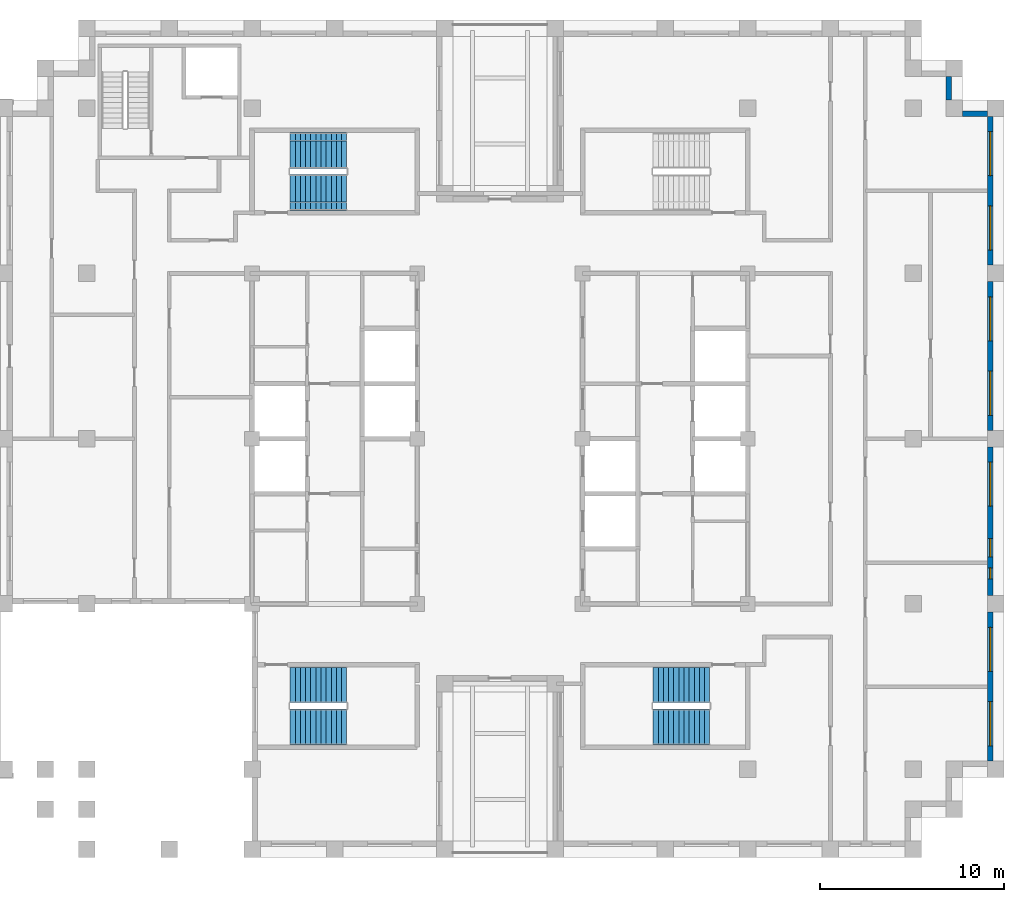
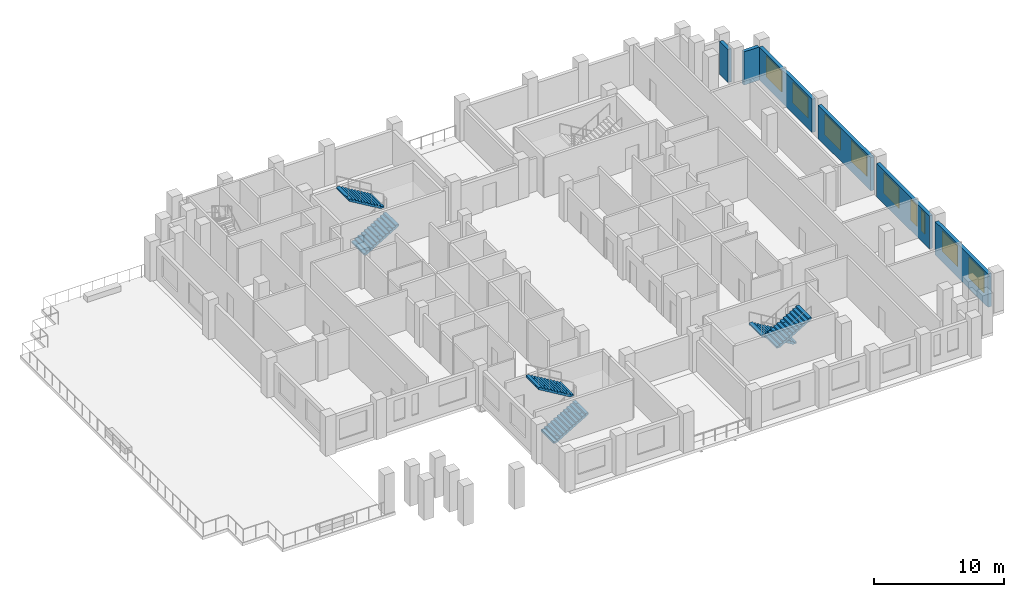
# One storey, part 7 of 10: 9 windows, 6 stair flights, 6 walls, 9 openings, 3 elements without a shape of their own.
"""IFC4 building model written with IfcOpenShell, lengths in metres."""

from ifc_helpers import new_model, si_unit, direction, frame, frame_2d, origin, place, context, subcontext, project, spatial, polyline, rectangle, outline, extrude, material, layer, layer_set, type_object, element, fill, aggregate, save


model = new_model("IFC4")

# Units and contexts
model_context = context("Model", 3, precision=1e-05, world=origin(), true_north=direction((0.0, 1.0)))
body_context = subcontext(model_context, "Body", "Model", "MODEL_VIEW")
ifc_project = project(units=[si_unit("LENGTHUNIT", "METRE"), si_unit("AREAUNIT", "SQUARE_METRE"), si_unit("VOLUMEUNIT", "CUBIC_METRE"), si_unit("PLANEANGLEUNIT", "RADIAN"), si_unit("MASSUNIT", "GRAM", prefix="KILO")], contexts=[model_context])

# Site, building, storey
site_placement = place(None, origin())
site = spatial("IfcSite", under=ifc_project, at=site_placement, CompositionType="ELEMENT")
building_placement = place(site_placement, origin())
building = spatial("IfcBuilding", under=site, at=building_placement, Name="Corbelhall Arena Tower", CompositionType="ELEMENT")
storey_placement = place(building_placement, frame((0.0, 0.0, 242.0)))
storey = spatial("IfcBuildingStorey", under=building, at=storey_placement, Name="L51", CompositionType="ELEMENT", Elevation=242.0)

# Wall, openings, windows
ifc_material_1 = material(Name="Precast concrete C40/50 with granite facing", Category="masonry")
ifc_layer = layer(ifc_material_1, 0.300048828125)
ifc_layer_set = layer_set([ifc_layer], Name="EV-IW1 Infill panel 300")
wall_type = type_object("IfcWallType", Name="EV-IW1 Infill panel 300", PredefinedType="SOLIDWALL", material=ifc_layer_set)
wall_1_placement = place(storey_placement, frame((26.699951171875, -17.550048828125, 0.0), z_axis=(0.0, 0.0, 1.0), x_axis=(0.0, 1.0, 0.0)))
wall_1 = element("IfcWall", 1, at=wall_1_placement, inside=storey, type_object=wall_type, Name="Infill panel IW1", PredefinedType="SOLIDWALL", context=body_context, shape_type="SweptSolid", body=[
    extrude(rectangle(XDim=8.10009765625, YDim=0.300048828125, at=frame_2d((4.050048828125, 0.0))), origin(), (0.0, 0.0, 1.0), 3.1201171875),
])
opening_1_placement = place(wall_1_placement, frame((0.824951171875, 0.0, 0.800048828125)))
opening_1 = element("IfcOpeningElement", 2, at=opening_1_placement, cuts=wall_1, Name="Opening WN1", PredefinedType="OPENING", context=body_context, shape_type="SweptSolid", body=[
    extrude(rectangle(XDim=2.39990234375, YDim=1.949951171875, at=frame_2d((1.199951171875, 0.97509765625))), frame((0.0, 0.14990234375, 0.0), z_axis=(0.0, -1.0, 0.0), x_axis=(1.0, 0.0, 0.0)), (0.0, 0.0, 1.0), 0.300048828125),
])
opening_2_placement = place(wall_1_placement, frame((4.875, 0.0, 0.800048828125)))
opening_2 = element("IfcOpeningElement", 3, at=opening_2_placement, cuts=wall_1, Name="Opening WN1", PredefinedType="OPENING", context=body_context, shape_type="SweptSolid", body=[
    extrude(rectangle(XDim=2.39990234375, YDim=1.949951171875, at=frame_2d((1.199951171875, 0.97509765625))), frame((0.0, 0.14990234375, 0.0), z_axis=(0.0, -1.0, 0.0), x_axis=(1.0, 0.0, 0.0)), (0.0, 0.0, 1.0), 0.300048828125),
])
ifc_material_2 = material(Name="Aluminium black anodised", Category="aluminium")
window_type_1 = type_object("IfcWindowType", Name="EV-WN1 Office window", PartitioningType="SINGLE_PANEL", PredefinedType="WINDOW", material=ifc_material_2)
window_1_placement = place(opening_1_placement, origin())
window_1 = element("IfcWindow", 4, at=window_1_placement, inside=storey, type_object=window_type_1, Name="Window WN1", OverallHeight=1.949951171875, OverallWidth=2.39990234375, PartitioningType="SINGLE_PANEL", PredefinedType="WINDOW", context=body_context, shape_type="SweptSolid", body=[
    extrude(rectangle(XDim=2.39990234375, YDim=1.949951171875, at=frame_2d((1.199951171875, 0.97509765625))), frame((0.0, 0.030029296875, 0.0), z_axis=(0.0, -1.0, 0.0), x_axis=(1.0, 0.0, 0.0)), (0.0, 0.0, 1.0), 0.06005859375),
])
fill(opening_1, window_1)
window_2_placement = place(opening_2_placement, origin())
window_2 = element("IfcWindow", 5, at=window_2_placement, inside=storey, type_object=window_type_1, Name="Window WN1", OverallHeight=1.949951171875, OverallWidth=2.39990234375, PartitioningType="SINGLE_PANEL", PredefinedType="WINDOW", context=body_context, shape_type="SweptSolid", body=[
    extrude(rectangle(XDim=2.39990234375, YDim=1.949951171875, at=frame_2d((1.199951171875, 0.97509765625))), frame((0.0, 0.030029296875, 0.0), z_axis=(0.0, -1.0, 0.0), x_axis=(1.0, 0.0, 0.0)), (0.0, 0.0, 1.0), 0.06005859375),
])
fill(opening_2, window_2)

wall_2_placement = place(storey_placement, frame((26.699951171875, -8.550048828125, 0.0), z_axis=(0.0, 0.0, 1.0), x_axis=(0.0, 1.0, 0.0)))
wall_2 = element("IfcWall", 6, at=wall_2_placement, inside=storey, type_object=wall_type, Name="Infill panel IW1", PredefinedType="SOLIDWALL", context=body_context, shape_type="SweptSolid", body=[
    extrude(rectangle(XDim=8.10009765625, YDim=0.300048828125, at=frame_2d((4.050048828125, 0.0))), origin(), (0.0, 0.0, 1.0), 3.1201171875),
])
opening_3_placement = place(wall_2_placement, frame((4.875, 0.0, 0.800048828125)))
opening_3 = element("IfcOpeningElement", 7, at=opening_3_placement, cuts=wall_2, Name="Opening WN1", PredefinedType="OPENING", context=body_context, shape_type="SweptSolid", body=[
    extrude(rectangle(XDim=2.39990234375, YDim=1.949951171875, at=frame_2d((1.199951171875, 0.97509765625))), frame((0.0, 0.14990234375, 0.0), z_axis=(0.0, -1.0, 0.0), x_axis=(1.0, 0.0, 0.0)), (0.0, 0.0, 1.0), 0.300048828125),
])
opening_4_placement = place(wall_2_placement, frame((0.91259765625, 0.0, 0.800048828125)))
opening_4 = element("IfcOpeningElement", 8, at=opening_4_placement, cuts=wall_2, Name="Opening WN5", PredefinedType="OPENING", context=body_context, shape_type="SweptSolid", body=[
    extrude(rectangle(XDim=0.60009765625, YDim=1.949951171875, at=frame_2d((0.300048828125, 0.97509765625))), frame((0.0, 0.14990234375, 0.0), z_axis=(0.0, -1.0, 0.0), x_axis=(1.0, 0.0, 0.0)), (0.0, 0.0, 1.0), 0.300048828125),
])
opening_5_placement = place(wall_2_placement, frame((2.112548828125, 0.0, 0.800048828125)))
opening_5 = element("IfcOpeningElement", 9, at=opening_5_placement, cuts=wall_2, Name="Opening WN6", PredefinedType="OPENING", context=body_context, shape_type="SweptSolid", body=[
    extrude(rectangle(XDim=1.0, YDim=1.949951171875, at=frame_2d((0.5, 0.97509765625))), frame((0.0, 0.14990234375, 0.0), z_axis=(0.0, -1.0, 0.0), x_axis=(1.0, 0.0, 0.0)), (0.0, 0.0, 1.0), 0.300048828125),
])
window_3_placement = place(opening_3_placement, origin())
window_3 = element("IfcWindow", 10, at=window_3_placement, inside=storey, type_object=window_type_1, Name="Window WN1", OverallHeight=1.949951171875, OverallWidth=2.39990234375, PartitioningType="SINGLE_PANEL", PredefinedType="WINDOW", context=body_context, shape_type="SweptSolid", body=[
    extrude(rectangle(XDim=2.39990234375, YDim=1.949951171875, at=frame_2d((1.199951171875, 0.97509765625))), frame((0.0, 0.030029296875, 0.0), z_axis=(0.0, -1.0, 0.0), x_axis=(1.0, 0.0, 0.0)), (0.0, 0.0, 1.0), 0.06005859375),
])
fill(opening_3, window_3)
window_type_2 = type_object("IfcWindowType", Name="EV-WN5 Office window 600", PartitioningType="SINGLE_PANEL", PredefinedType="WINDOW", material=ifc_material_2)
window_4_placement = place(opening_4_placement, origin())
window_4 = element("IfcWindow", 11, at=window_4_placement, inside=storey, type_object=window_type_2, Name="Window WN5", OverallHeight=1.949951171875, OverallWidth=0.60009765625, PartitioningType="SINGLE_PANEL", PredefinedType="WINDOW", context=body_context, shape_type="SweptSolid", body=[
    extrude(rectangle(XDim=0.60009765625, YDim=1.949951171875, at=frame_2d((0.300048828125, 0.97509765625))), frame((0.0, 0.030029296875, 0.0), z_axis=(0.0, -1.0, 0.0), x_axis=(1.0, 0.0, 0.0)), (0.0, 0.0, 1.0), 0.06005859375),
])
fill(opening_4, window_4)
window_type_3 = type_object("IfcWindowType", Name="EV-WN6 Office window 1000", PartitioningType="SINGLE_PANEL", PredefinedType="WINDOW", material=ifc_material_2)
window_5_placement = place(opening_5_placement, origin())
window_5 = element("IfcWindow", 12, at=window_5_placement, inside=storey, type_object=window_type_3, Name="Window WN6", OverallHeight=1.949951171875, OverallWidth=1.0, PartitioningType="SINGLE_PANEL", PredefinedType="WINDOW", context=body_context, shape_type="SweptSolid", body=[
    extrude(rectangle(XDim=1.0, YDim=1.949951171875, at=frame_2d((0.5, 0.97509765625))), frame((0.0, 0.030029296875, 0.0), z_axis=(0.0, -1.0, 0.0), x_axis=(1.0, 0.0, 0.0)), (0.0, 0.0, 1.0), 0.06005859375),
])
fill(opening_5, window_5)

wall_3_placement = place(storey_placement, frame((26.699951171875, 0.449951171875, 0.0), z_axis=(0.0, 0.0, 1.0), x_axis=(0.0, 1.0, 0.0)))
wall_3 = element("IfcWall", 13, at=wall_3_placement, inside=storey, type_object=wall_type, Name="Infill panel IW1", PredefinedType="SOLIDWALL", context=body_context, shape_type="SweptSolid", body=[
    extrude(rectangle(XDim=8.10009765625, YDim=0.300048828125, at=frame_2d((4.050048828125, 0.0))), origin(), (0.0, 0.0, 1.0), 3.1201171875),
])
opening_6_placement = place(wall_3_placement, frame((0.824951171875, 0.0, 0.800048828125)))
opening_6 = element("IfcOpeningElement", 14, at=opening_6_placement, cuts=wall_3, Name="Opening WN1", PredefinedType="OPENING", context=body_context, shape_type="SweptSolid", body=[
    extrude(rectangle(XDim=2.39990234375, YDim=1.949951171875, at=frame_2d((1.199951171875, 0.97509765625))), frame((0.0, 0.14990234375, 0.0), z_axis=(0.0, -1.0, 0.0), x_axis=(1.0, 0.0, 0.0)), (0.0, 0.0, 1.0), 0.300048828125),
])
opening_7_placement = place(wall_3_placement, frame((4.875, 0.0, 0.800048828125)))
opening_7 = element("IfcOpeningElement", 15, at=opening_7_placement, cuts=wall_3, Name="Opening WN1", PredefinedType="OPENING", context=body_context, shape_type="SweptSolid", body=[
    extrude(rectangle(XDim=2.39990234375, YDim=1.949951171875, at=frame_2d((1.199951171875, 0.97509765625))), frame((0.0, 0.14990234375, 0.0), z_axis=(0.0, -1.0, 0.0), x_axis=(1.0, 0.0, 0.0)), (0.0, 0.0, 1.0), 0.300048828125),
])
window_6_placement = place(opening_6_placement, origin())
window_6 = element("IfcWindow", 16, at=window_6_placement, inside=storey, type_object=window_type_1, Name="Window WN1", OverallHeight=1.949951171875, OverallWidth=2.39990234375, PartitioningType="SINGLE_PANEL", PredefinedType="WINDOW", context=body_context, shape_type="SweptSolid", body=[
    extrude(rectangle(XDim=2.39990234375, YDim=1.949951171875, at=frame_2d((1.199951171875, 0.97509765625))), frame((0.0, 0.030029296875, 0.0), z_axis=(0.0, -1.0, 0.0), x_axis=(1.0, 0.0, 0.0)), (0.0, 0.0, 1.0), 0.06005859375),
])
fill(opening_6, window_6)
window_7_placement = place(opening_7_placement, origin())
window_7 = element("IfcWindow", 17, at=window_7_placement, inside=storey, type_object=window_type_1, Name="Window WN1", OverallHeight=1.949951171875, OverallWidth=2.39990234375, PartitioningType="SINGLE_PANEL", PredefinedType="WINDOW", context=body_context, shape_type="SweptSolid", body=[
    extrude(rectangle(XDim=2.39990234375, YDim=1.949951171875, at=frame_2d((1.199951171875, 0.97509765625))), frame((0.0, 0.030029296875, 0.0), z_axis=(0.0, -1.0, 0.0), x_axis=(1.0, 0.0, 0.0)), (0.0, 0.0, 1.0), 0.06005859375),
])
fill(opening_7, window_7)

wall_4_placement = place(storey_placement, frame((26.699951171875, 9.449951171875, 0.0), z_axis=(0.0, 0.0, 1.0), x_axis=(0.0, 1.0, 0.0)))
wall_4 = element("IfcWall", 18, at=wall_4_placement, inside=storey, type_object=wall_type, Name="Infill panel IW1", PredefinedType="SOLIDWALL", context=body_context, shape_type="SweptSolid", body=[
    extrude(rectangle(XDim=8.10009765625, YDim=0.300048828125, at=frame_2d((4.050048828125, 0.0))), origin(), (0.0, 0.0, 1.0), 3.1201171875),
])
opening_8_placement = place(wall_4_placement, frame((0.824951171875, 0.0, 0.800048828125)))
opening_8 = element("IfcOpeningElement", 19, at=opening_8_placement, cuts=wall_4, Name="Opening WN1", PredefinedType="OPENING", context=body_context, shape_type="SweptSolid", body=[
    extrude(rectangle(XDim=2.39990234375, YDim=1.949951171875, at=frame_2d((1.199951171875, 0.97509765625))), frame((0.0, 0.14990234375, 0.0), z_axis=(0.0, -1.0, 0.0), x_axis=(1.0, 0.0, 0.0)), (0.0, 0.0, 1.0), 0.300048828125),
])
opening_9_placement = place(wall_4_placement, frame((4.875, 0.0, 0.800048828125)))
opening_9 = element("IfcOpeningElement", 20, at=opening_9_placement, cuts=wall_4, Name="Opening WN1", PredefinedType="OPENING", context=body_context, shape_type="SweptSolid", body=[
    extrude(rectangle(XDim=2.39990234375, YDim=1.949951171875, at=frame_2d((1.199951171875, 0.97509765625))), frame((0.0, 0.14990234375, 0.0), z_axis=(0.0, -1.0, 0.0), x_axis=(1.0, 0.0, 0.0)), (0.0, 0.0, 1.0), 0.300048828125),
])
window_8_placement = place(opening_8_placement, origin())
window_8 = element("IfcWindow", 21, at=window_8_placement, inside=storey, type_object=window_type_1, Name="Window WN1", OverallHeight=1.949951171875, OverallWidth=2.39990234375, PartitioningType="SINGLE_PANEL", PredefinedType="WINDOW", context=body_context, shape_type="SweptSolid", body=[
    extrude(rectangle(XDim=2.39990234375, YDim=1.949951171875, at=frame_2d((1.199951171875, 0.97509765625))), frame((0.0, 0.030029296875, 0.0), z_axis=(0.0, -1.0, 0.0), x_axis=(1.0, 0.0, 0.0)), (0.0, 0.0, 1.0), 0.06005859375),
])
fill(opening_8, window_8)
window_9_placement = place(opening_9_placement, origin())
window_9 = element("IfcWindow", 22, at=window_9_placement, inside=storey, type_object=window_type_1, Name="Window WN1", OverallHeight=1.949951171875, OverallWidth=2.39990234375, PartitioningType="SINGLE_PANEL", PredefinedType="WINDOW", context=body_context, shape_type="SweptSolid", body=[
    extrude(rectangle(XDim=2.39990234375, YDim=1.949951171875, at=frame_2d((1.199951171875, 0.97509765625))), frame((0.0, 0.030029296875, 0.0), z_axis=(0.0, -1.0, 0.0), x_axis=(1.0, 0.0, 0.0)), (0.0, 0.0, 1.0), 0.06005859375),
])
fill(opening_9, window_9)

# Walls
wall_5_placement = place(storey_placement, frame((26.550048828125, 17.699951171875, 0.0), z_axis=(0.0, 0.0, 1.0), x_axis=(-1.0, 0.0, 0.0)))
element("IfcWall", 23, at=wall_5_placement, inside=storey, type_object=wall_type, Name="Infill panel IW1", PredefinedType="SOLIDWALL", context=body_context, shape_type="SweptSolid", body=[
    extrude(rectangle(XDim=1.35009765625, YDim=0.300048828125, at=frame_2d((0.675048828125, 0.0))), origin(), (0.0, 0.0, 1.0), 3.1201171875),
])
wall_6_placement = place(storey_placement, frame((24.449951171875, 18.449951171875, 0.0), z_axis=(0.0, 0.0, 1.0), x_axis=(0.0, 1.0, 0.0)))
element("IfcWall", 24, at=wall_6_placement, inside=storey, type_object=wall_type, Name="Infill panel IW1", PredefinedType="SOLIDWALL", context=body_context, shape_type="SweptSolid", body=[
    extrude(rectangle(XDim=1.275146484375, YDim=0.300048828125, at=frame_2d((0.6376953125, 0.0))), origin(), (0.0, 0.0, 1.0), 3.1201171875),
])

# Stair, stair flights
ifc_material_3 = material(Name="Concrete C40/50", Category="concrete")
stair_type = type_object("IfcStairType", Name="IN-ST-TOWER", PredefinedType="HALF_TURN_STAIR", material=ifc_material_3)
stair_1_placement = place(storey_placement, origin())
stair_1 = element("IfcStair", 25, at=stair_1_placement, inside=storey, type_object=stair_type, Name="L51 Exit stair ST1", PredefinedType="HALF_TURN_STAIR")
stair_flight_type = type_object("IfcStairFlightType", Name="IN-SFL-RC", PredefinedType="STRAIGHT", material=ifc_material_3)
stair_flight_1_placement = place(storey_placement, frame((-11.425048828125, 13.39990234375, 0.0), z_axis=(0.0, 0.0, 1.0), x_axis=(1.0, 0.0, 0.0)))
stair_flight_1 = element("IfcStairFlight", 26, at=stair_flight_1_placement, type_object=stair_flight_type, Name="ST1 flight 1", NumberOfRisers=12, NumberOfTreads=11, PredefinedType="STRAIGHT", RiserHeight=0.166666667, TreadLength=0.28, context=body_context, shape_type="SweptSolid", body=[
    extrude(outline(polyline([(0.0, 0.0), (0.0, 0.166748046875), (0.280029296875, 0.166748046875), (0.280029296875, 0.333251953125), (0.56005859375, 0.333251953125), (0.56005859375, 0.5), (0.840087890625, 0.5), (0.840087890625, 0.666748046875), (1.1201171875, 0.666748046875), (1.1201171875, 0.833251953125), (1.39990234375, 0.833251953125), (1.39990234375, 1.0), (1.679931640625, 1.0), (1.679931640625, 1.166748046875), (1.9599609375, 1.166748046875), (1.9599609375, 1.333251953125), (2.239990234375, 1.333251953125), (2.239990234375, 1.5), (2.52001953125, 1.5), (2.52001953125, 1.666748046875), (2.800048828125, 1.666748046875), (2.800048828125, 1.833251953125), (3.080078125, 1.833251953125), (3.080078125, 2.0), (3.080078125, 1.658935546875), (0.29296875, 0.0), (0.0, 0.0)])), frame((0.0, 0.97509765625, 0.0), z_axis=(0.0, -1.0, 0.0), x_axis=(1.0, 0.0, 0.0)), (0.0, 0.0, 1.0), 0.449951171875),
    extrude(outline(polyline([(0.0, 0.0), (0.0, 0.166748046875), (0.280029296875, 0.166748046875), (0.280029296875, 0.333251953125), (0.56005859375, 0.333251953125), (0.56005859375, 0.5), (0.840087890625, 0.5), (0.840087890625, 0.666748046875), (1.1201171875, 0.666748046875), (1.1201171875, 0.833251953125), (1.39990234375, 0.833251953125), (1.39990234375, 1.0), (1.679931640625, 1.0), (1.679931640625, 1.166748046875), (1.9599609375, 1.166748046875), (1.9599609375, 1.333251953125), (2.239990234375, 1.333251953125), (2.239990234375, 1.5), (2.52001953125, 1.5), (2.52001953125, 1.666748046875), (2.800048828125, 1.666748046875), (2.800048828125, 1.833251953125), (3.080078125, 1.833251953125), (3.080078125, 2.0), (3.080078125, 1.658935546875), (0.29296875, 0.0), (0.0, 0.0)])), frame((0.0, 0.52099609375, 0.0), z_axis=(0.0, -1.0, 0.0), x_axis=(1.0, 0.0, 0.0)), (0.0, 0.0, 1.0), 1.0419921875),
    extrude(outline(polyline([(0.0, 0.0), (0.0, 0.166748046875), (0.280029296875, 0.166748046875), (0.280029296875, 0.333251953125), (0.56005859375, 0.333251953125), (0.56005859375, 0.5), (0.840087890625, 0.5), (0.840087890625, 0.666748046875), (1.1201171875, 0.666748046875), (1.1201171875, 0.833251953125), (1.39990234375, 0.833251953125), (1.39990234375, 1.0), (1.679931640625, 1.0), (1.679931640625, 1.166748046875), (1.9599609375, 1.166748046875), (1.9599609375, 1.333251953125), (2.239990234375, 1.333251953125), (2.239990234375, 1.5), (2.52001953125, 1.5), (2.52001953125, 1.666748046875), (2.800048828125, 1.666748046875), (2.800048828125, 1.833251953125), (3.080078125, 1.833251953125), (3.080078125, 2.0), (3.080078125, 1.658935546875), (0.29296875, 0.0), (0.0, 0.0)])), frame((0.0, -0.52490234375, 0.0), z_axis=(0.0, -1.0, 0.0), x_axis=(1.0, 0.0, 0.0)), (0.0, 0.0, 1.0), 0.449951171875),
])
stair_flight_2_placement = place(storey_placement, frame((-8.344970703125, 15.699951171875, 2.0), z_axis=(0.0, 0.0, 1.0), x_axis=(-1.0, 0.0, 0.0)))
stair_flight_2 = element("IfcStairFlight", 27, at=stair_flight_2_placement, type_object=stair_flight_type, Name="ST1 flight 2", NumberOfRisers=12, NumberOfTreads=11, PredefinedType="STRAIGHT", RiserHeight=0.166666667, TreadLength=0.28, context=body_context, shape_type="SweptSolid", body=[
    extrude(outline(polyline([(0.0, 0.0), (0.0, 0.166748046875), (0.280029296875, 0.166748046875), (0.280029296875, 0.333251953125), (0.56005859375, 0.333251953125), (0.56005859375, 0.5), (0.840087890625, 0.5), (0.840087890625, 0.666748046875), (1.1201171875, 0.666748046875), (1.1201171875, 0.833251953125), (1.39990234375, 0.833251953125), (1.39990234375, 1.0), (1.679931640625, 1.0), (1.679931640625, 1.166748046875), (1.9599609375, 1.166748046875), (1.9599609375, 1.333251953125), (2.239990234375, 1.333251953125), (2.239990234375, 1.5), (2.52001953125, 1.5), (2.52001953125, 1.666748046875), (2.800048828125, 1.666748046875), (2.800048828125, 1.833251953125), (3.080078125, 1.833251953125), (3.080078125, 2.0), (3.080078125, 1.658935546875), (0.29296875, 0.0), (0.0, 0.0)])), frame((0.0, 0.97509765625, 0.0), z_axis=(0.0, -1.0, 0.0), x_axis=(1.0, 0.0, 0.0)), (0.0, 0.0, 1.0), 0.449951171875),
    extrude(outline(polyline([(0.0, 0.0), (0.0, 0.166748046875), (0.280029296875, 0.166748046875), (0.280029296875, 0.333251953125), (0.56005859375, 0.333251953125), (0.56005859375, 0.5), (0.840087890625, 0.5), (0.840087890625, 0.666748046875), (1.1201171875, 0.666748046875), (1.1201171875, 0.833251953125), (1.39990234375, 0.833251953125), (1.39990234375, 1.0), (1.679931640625, 1.0), (1.679931640625, 1.166748046875), (1.9599609375, 1.166748046875), (1.9599609375, 1.333251953125), (2.239990234375, 1.333251953125), (2.239990234375, 1.5), (2.52001953125, 1.5), (2.52001953125, 1.666748046875), (2.800048828125, 1.666748046875), (2.800048828125, 1.833251953125), (3.080078125, 1.833251953125), (3.080078125, 2.0), (3.080078125, 1.658935546875), (0.29296875, 0.0), (0.0, 0.0)])), frame((0.0, 0.52099609375, 0.0), z_axis=(0.0, -1.0, 0.0), x_axis=(1.0, 0.0, 0.0)), (0.0, 0.0, 1.0), 1.0419921875),
    extrude(outline(polyline([(0.0, 0.0), (0.0, 0.166748046875), (0.280029296875, 0.166748046875), (0.280029296875, 0.333251953125), (0.56005859375, 0.333251953125), (0.56005859375, 0.5), (0.840087890625, 0.5), (0.840087890625, 0.666748046875), (1.1201171875, 0.666748046875), (1.1201171875, 0.833251953125), (1.39990234375, 0.833251953125), (1.39990234375, 1.0), (1.679931640625, 1.0), (1.679931640625, 1.166748046875), (1.9599609375, 1.166748046875), (1.9599609375, 1.333251953125), (2.239990234375, 1.333251953125), (2.239990234375, 1.5), (2.52001953125, 1.5), (2.52001953125, 1.666748046875), (2.800048828125, 1.666748046875), (2.800048828125, 1.833251953125), (3.080078125, 1.833251953125), (3.080078125, 2.0), (3.080078125, 1.658935546875), (0.29296875, 0.0), (0.0, 0.0)])), frame((0.0, -0.52490234375, 0.0), z_axis=(0.0, -1.0, 0.0), x_axis=(1.0, 0.0, 0.0)), (0.0, 0.0, 1.0), 0.449951171875),
])
aggregate(stair_1, [stair_flight_1, stair_flight_2])

stair_2_placement = place(storey_placement, origin())
stair_2 = element("IfcStair", 28, at=stair_2_placement, inside=storey, type_object=stair_type, Name="L51 Exit stair ST2", PredefinedType="HALF_TURN_STAIR")
stair_flight_3_placement = place(storey_placement, frame((-11.425048828125, -15.699951171875, 0.0), z_axis=(0.0, 0.0, 1.0), x_axis=(1.0, 0.0, 0.0)))
stair_flight_3 = element("IfcStairFlight", 29, at=stair_flight_3_placement, type_object=stair_flight_type, Name="ST2 flight 1", NumberOfRisers=12, NumberOfTreads=11, PredefinedType="STRAIGHT", RiserHeight=0.166666667, TreadLength=0.28, context=body_context, shape_type="SweptSolid", body=[
    extrude(outline(polyline([(0.0, 0.0), (0.0, 0.166748046875), (0.280029296875, 0.166748046875), (0.280029296875, 0.333251953125), (0.56005859375, 0.333251953125), (0.56005859375, 0.5), (0.840087890625, 0.5), (0.840087890625, 0.666748046875), (1.1201171875, 0.666748046875), (1.1201171875, 0.833251953125), (1.39990234375, 0.833251953125), (1.39990234375, 1.0), (1.679931640625, 1.0), (1.679931640625, 1.166748046875), (1.9599609375, 1.166748046875), (1.9599609375, 1.333251953125), (2.239990234375, 1.333251953125), (2.239990234375, 1.5), (2.52001953125, 1.5), (2.52001953125, 1.666748046875), (2.800048828125, 1.666748046875), (2.800048828125, 1.833251953125), (3.080078125, 1.833251953125), (3.080078125, 2.0), (3.080078125, 1.658935546875), (0.29296875, 0.0), (0.0, 0.0)])), frame((0.0, 0.97509765625, 0.0), z_axis=(0.0, -1.0, 0.0), x_axis=(1.0, 0.0, 0.0)), (0.0, 0.0, 1.0), 0.449951171875),
    extrude(outline(polyline([(0.0, 0.0), (0.0, 0.166748046875), (0.280029296875, 0.166748046875), (0.280029296875, 0.333251953125), (0.56005859375, 0.333251953125), (0.56005859375, 0.5), (0.840087890625, 0.5), (0.840087890625, 0.666748046875), (1.1201171875, 0.666748046875), (1.1201171875, 0.833251953125), (1.39990234375, 0.833251953125), (1.39990234375, 1.0), (1.679931640625, 1.0), (1.679931640625, 1.166748046875), (1.9599609375, 1.166748046875), (1.9599609375, 1.333251953125), (2.239990234375, 1.333251953125), (2.239990234375, 1.5), (2.52001953125, 1.5), (2.52001953125, 1.666748046875), (2.800048828125, 1.666748046875), (2.800048828125, 1.833251953125), (3.080078125, 1.833251953125), (3.080078125, 2.0), (3.080078125, 1.658935546875), (0.29296875, 0.0), (0.0, 0.0)])), frame((0.0, 0.52099609375, 0.0), z_axis=(0.0, -1.0, 0.0), x_axis=(1.0, 0.0, 0.0)), (0.0, 0.0, 1.0), 1.0419921875),
    extrude(outline(polyline([(0.0, 0.0), (0.0, 0.166748046875), (0.280029296875, 0.166748046875), (0.280029296875, 0.333251953125), (0.56005859375, 0.333251953125), (0.56005859375, 0.5), (0.840087890625, 0.5), (0.840087890625, 0.666748046875), (1.1201171875, 0.666748046875), (1.1201171875, 0.833251953125), (1.39990234375, 0.833251953125), (1.39990234375, 1.0), (1.679931640625, 1.0), (1.679931640625, 1.166748046875), (1.9599609375, 1.166748046875), (1.9599609375, 1.333251953125), (2.239990234375, 1.333251953125), (2.239990234375, 1.5), (2.52001953125, 1.5), (2.52001953125, 1.666748046875), (2.800048828125, 1.666748046875), (2.800048828125, 1.833251953125), (3.080078125, 1.833251953125), (3.080078125, 2.0), (3.080078125, 1.658935546875), (0.29296875, 0.0), (0.0, 0.0)])), frame((0.0, -0.52490234375, 0.0), z_axis=(0.0, -1.0, 0.0), x_axis=(1.0, 0.0, 0.0)), (0.0, 0.0, 1.0), 0.449951171875),
])
stair_flight_4_placement = place(storey_placement, frame((-8.344970703125, -13.39990234375, 2.0), z_axis=(0.0, 0.0, 1.0), x_axis=(-1.0, 0.0, 0.0)))
stair_flight_4 = element("IfcStairFlight", 30, at=stair_flight_4_placement, type_object=stair_flight_type, Name="ST2 flight 2", NumberOfRisers=12, NumberOfTreads=11, PredefinedType="STRAIGHT", RiserHeight=0.166666667, TreadLength=0.28, context=body_context, shape_type="SweptSolid", body=[
    extrude(outline(polyline([(0.0, 0.0), (0.0, 0.166748046875), (0.280029296875, 0.166748046875), (0.280029296875, 0.333251953125), (0.56005859375, 0.333251953125), (0.56005859375, 0.5), (0.840087890625, 0.5), (0.840087890625, 0.666748046875), (1.1201171875, 0.666748046875), (1.1201171875, 0.833251953125), (1.39990234375, 0.833251953125), (1.39990234375, 1.0), (1.679931640625, 1.0), (1.679931640625, 1.166748046875), (1.9599609375, 1.166748046875), (1.9599609375, 1.333251953125), (2.239990234375, 1.333251953125), (2.239990234375, 1.5), (2.52001953125, 1.5), (2.52001953125, 1.666748046875), (2.800048828125, 1.666748046875), (2.800048828125, 1.833251953125), (3.080078125, 1.833251953125), (3.080078125, 2.0), (3.080078125, 1.658935546875), (0.29296875, 0.0), (0.0, 0.0)])), frame((0.0, 0.97509765625, 0.0), z_axis=(0.0, -1.0, 0.0), x_axis=(1.0, 0.0, 0.0)), (0.0, 0.0, 1.0), 0.449951171875),
    extrude(outline(polyline([(0.0, 0.0), (0.0, 0.166748046875), (0.280029296875, 0.166748046875), (0.280029296875, 0.333251953125), (0.56005859375, 0.333251953125), (0.56005859375, 0.5), (0.840087890625, 0.5), (0.840087890625, 0.666748046875), (1.1201171875, 0.666748046875), (1.1201171875, 0.833251953125), (1.39990234375, 0.833251953125), (1.39990234375, 1.0), (1.679931640625, 1.0), (1.679931640625, 1.166748046875), (1.9599609375, 1.166748046875), (1.9599609375, 1.333251953125), (2.239990234375, 1.333251953125), (2.239990234375, 1.5), (2.52001953125, 1.5), (2.52001953125, 1.666748046875), (2.800048828125, 1.666748046875), (2.800048828125, 1.833251953125), (3.080078125, 1.833251953125), (3.080078125, 2.0), (3.080078125, 1.658935546875), (0.29296875, 0.0), (0.0, 0.0)])), frame((0.0, 0.52099609375, 0.0), z_axis=(0.0, -1.0, 0.0), x_axis=(1.0, 0.0, 0.0)), (0.0, 0.0, 1.0), 1.0419921875),
    extrude(outline(polyline([(0.0, 0.0), (0.0, 0.166748046875), (0.280029296875, 0.166748046875), (0.280029296875, 0.333251953125), (0.56005859375, 0.333251953125), (0.56005859375, 0.5), (0.840087890625, 0.5), (0.840087890625, 0.666748046875), (1.1201171875, 0.666748046875), (1.1201171875, 0.833251953125), (1.39990234375, 0.833251953125), (1.39990234375, 1.0), (1.679931640625, 1.0), (1.679931640625, 1.166748046875), (1.9599609375, 1.166748046875), (1.9599609375, 1.333251953125), (2.239990234375, 1.333251953125), (2.239990234375, 1.5), (2.52001953125, 1.5), (2.52001953125, 1.666748046875), (2.800048828125, 1.666748046875), (2.800048828125, 1.833251953125), (3.080078125, 1.833251953125), (3.080078125, 2.0), (3.080078125, 1.658935546875), (0.29296875, 0.0), (0.0, 0.0)])), frame((0.0, -0.52490234375, 0.0), z_axis=(0.0, -1.0, 0.0), x_axis=(1.0, 0.0, 0.0)), (0.0, 0.0, 1.0), 0.449951171875),
])
aggregate(stair_2, [stair_flight_3, stair_flight_4])

stair_3_placement = place(storey_placement, origin())
stair_3 = element("IfcStair", 31, at=stair_3_placement, inside=storey, type_object=stair_type, Name="L51 Exit stair ST4", PredefinedType="HALF_TURN_STAIR")
stair_flight_5_placement = place(storey_placement, frame((11.425048828125, -13.39990234375, 0.0), z_axis=(0.0, 0.0, 1.0), x_axis=(-1.0, 0.0, 0.0)))
stair_flight_5 = element("IfcStairFlight", 32, at=stair_flight_5_placement, type_object=stair_flight_type, Name="ST4 flight 1", NumberOfRisers=12, NumberOfTreads=11, PredefinedType="STRAIGHT", RiserHeight=0.166666667, TreadLength=0.28, context=body_context, shape_type="SweptSolid", body=[
    extrude(outline(polyline([(0.0, 0.0), (0.0, 0.166748046875), (0.280029296875, 0.166748046875), (0.280029296875, 0.333251953125), (0.56005859375, 0.333251953125), (0.56005859375, 0.5), (0.840087890625, 0.5), (0.840087890625, 0.666748046875), (1.1201171875, 0.666748046875), (1.1201171875, 0.833251953125), (1.39990234375, 0.833251953125), (1.39990234375, 1.0), (1.679931640625, 1.0), (1.679931640625, 1.166748046875), (1.9599609375, 1.166748046875), (1.9599609375, 1.333251953125), (2.239990234375, 1.333251953125), (2.239990234375, 1.5), (2.52001953125, 1.5), (2.52001953125, 1.666748046875), (2.800048828125, 1.666748046875), (2.800048828125, 1.833251953125), (3.080078125, 1.833251953125), (3.080078125, 2.0), (3.080078125, 1.658935546875), (0.29296875, 0.0), (0.0, 0.0)])), frame((0.0, 0.97509765625, 0.0), z_axis=(0.0, -1.0, 0.0), x_axis=(1.0, 0.0, 0.0)), (0.0, 0.0, 1.0), 0.449951171875),
    extrude(outline(polyline([(0.0, 0.0), (0.0, 0.166748046875), (0.280029296875, 0.166748046875), (0.280029296875, 0.333251953125), (0.56005859375, 0.333251953125), (0.56005859375, 0.5), (0.840087890625, 0.5), (0.840087890625, 0.666748046875), (1.1201171875, 0.666748046875), (1.1201171875, 0.833251953125), (1.39990234375, 0.833251953125), (1.39990234375, 1.0), (1.679931640625, 1.0), (1.679931640625, 1.166748046875), (1.9599609375, 1.166748046875), (1.9599609375, 1.333251953125), (2.239990234375, 1.333251953125), (2.239990234375, 1.5), (2.52001953125, 1.5), (2.52001953125, 1.666748046875), (2.800048828125, 1.666748046875), (2.800048828125, 1.833251953125), (3.080078125, 1.833251953125), (3.080078125, 2.0), (3.080078125, 1.658935546875), (0.29296875, 0.0), (0.0, 0.0)])), frame((0.0, 0.52099609375, 0.0), z_axis=(0.0, -1.0, 0.0), x_axis=(1.0, 0.0, 0.0)), (0.0, 0.0, 1.0), 1.0419921875),
    extrude(outline(polyline([(0.0, 0.0), (0.0, 0.166748046875), (0.280029296875, 0.166748046875), (0.280029296875, 0.333251953125), (0.56005859375, 0.333251953125), (0.56005859375, 0.5), (0.840087890625, 0.5), (0.840087890625, 0.666748046875), (1.1201171875, 0.666748046875), (1.1201171875, 0.833251953125), (1.39990234375, 0.833251953125), (1.39990234375, 1.0), (1.679931640625, 1.0), (1.679931640625, 1.166748046875), (1.9599609375, 1.166748046875), (1.9599609375, 1.333251953125), (2.239990234375, 1.333251953125), (2.239990234375, 1.5), (2.52001953125, 1.5), (2.52001953125, 1.666748046875), (2.800048828125, 1.666748046875), (2.800048828125, 1.833251953125), (3.080078125, 1.833251953125), (3.080078125, 2.0), (3.080078125, 1.658935546875), (0.29296875, 0.0), (0.0, 0.0)])), frame((0.0, -0.52490234375, 0.0), z_axis=(0.0, -1.0, 0.0), x_axis=(1.0, 0.0, 0.0)), (0.0, 0.0, 1.0), 0.449951171875),
])
stair_flight_6_placement = place(storey_placement, frame((8.344970703125, -15.699951171875, 2.0), z_axis=(0.0, 0.0, 1.0), x_axis=(1.0, 0.0, 0.0)))
stair_flight_6 = element("IfcStairFlight", 33, at=stair_flight_6_placement, type_object=stair_flight_type, Name="ST4 flight 2", NumberOfRisers=12, NumberOfTreads=11, PredefinedType="STRAIGHT", RiserHeight=0.166666667, TreadLength=0.28, context=body_context, shape_type="SweptSolid", body=[
    extrude(outline(polyline([(0.0, 0.0), (0.0, 0.166748046875), (0.280029296875, 0.166748046875), (0.280029296875, 0.333251953125), (0.56005859375, 0.333251953125), (0.56005859375, 0.5), (0.840087890625, 0.5), (0.840087890625, 0.666748046875), (1.1201171875, 0.666748046875), (1.1201171875, 0.833251953125), (1.39990234375, 0.833251953125), (1.39990234375, 1.0), (1.679931640625, 1.0), (1.679931640625, 1.166748046875), (1.9599609375, 1.166748046875), (1.9599609375, 1.333251953125), (2.239990234375, 1.333251953125), (2.239990234375, 1.5), (2.52001953125, 1.5), (2.52001953125, 1.666748046875), (2.800048828125, 1.666748046875), (2.800048828125, 1.833251953125), (3.080078125, 1.833251953125), (3.080078125, 2.0), (3.080078125, 1.658935546875), (0.29296875, 0.0), (0.0, 0.0)])), frame((0.0, 0.97509765625, 0.0), z_axis=(0.0, -1.0, 0.0), x_axis=(1.0, 0.0, 0.0)), (0.0, 0.0, 1.0), 0.449951171875),
    extrude(outline(polyline([(0.0, 0.0), (0.0, 0.166748046875), (0.280029296875, 0.166748046875), (0.280029296875, 0.333251953125), (0.56005859375, 0.333251953125), (0.56005859375, 0.5), (0.840087890625, 0.5), (0.840087890625, 0.666748046875), (1.1201171875, 0.666748046875), (1.1201171875, 0.833251953125), (1.39990234375, 0.833251953125), (1.39990234375, 1.0), (1.679931640625, 1.0), (1.679931640625, 1.166748046875), (1.9599609375, 1.166748046875), (1.9599609375, 1.333251953125), (2.239990234375, 1.333251953125), (2.239990234375, 1.5), (2.52001953125, 1.5), (2.52001953125, 1.666748046875), (2.800048828125, 1.666748046875), (2.800048828125, 1.833251953125), (3.080078125, 1.833251953125), (3.080078125, 2.0), (3.080078125, 1.658935546875), (0.29296875, 0.0), (0.0, 0.0)])), frame((0.0, 0.52099609375, 0.0), z_axis=(0.0, -1.0, 0.0), x_axis=(1.0, 0.0, 0.0)), (0.0, 0.0, 1.0), 1.0419921875),
    extrude(outline(polyline([(0.0, 0.0), (0.0, 0.166748046875), (0.280029296875, 0.166748046875), (0.280029296875, 0.333251953125), (0.56005859375, 0.333251953125), (0.56005859375, 0.5), (0.840087890625, 0.5), (0.840087890625, 0.666748046875), (1.1201171875, 0.666748046875), (1.1201171875, 0.833251953125), (1.39990234375, 0.833251953125), (1.39990234375, 1.0), (1.679931640625, 1.0), (1.679931640625, 1.166748046875), (1.9599609375, 1.166748046875), (1.9599609375, 1.333251953125), (2.239990234375, 1.333251953125), (2.239990234375, 1.5), (2.52001953125, 1.5), (2.52001953125, 1.666748046875), (2.800048828125, 1.666748046875), (2.800048828125, 1.833251953125), (3.080078125, 1.833251953125), (3.080078125, 2.0), (3.080078125, 1.658935546875), (0.29296875, 0.0), (0.0, 0.0)])), frame((0.0, -0.52490234375, 0.0), z_axis=(0.0, -1.0, 0.0), x_axis=(1.0, 0.0, 0.0)), (0.0, 0.0, 1.0), 0.449951171875),
])
aggregate(stair_3, [stair_flight_5, stair_flight_6])

save(model, "model.ifc")
